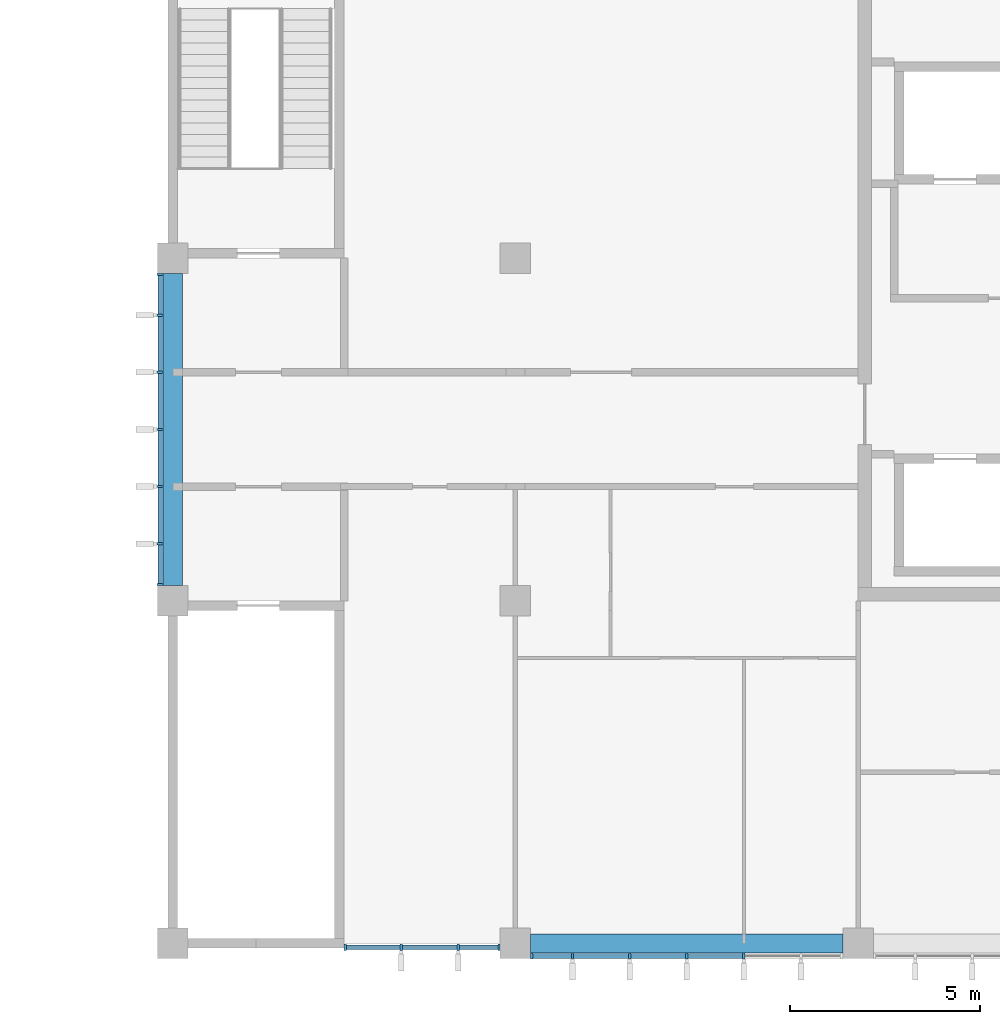
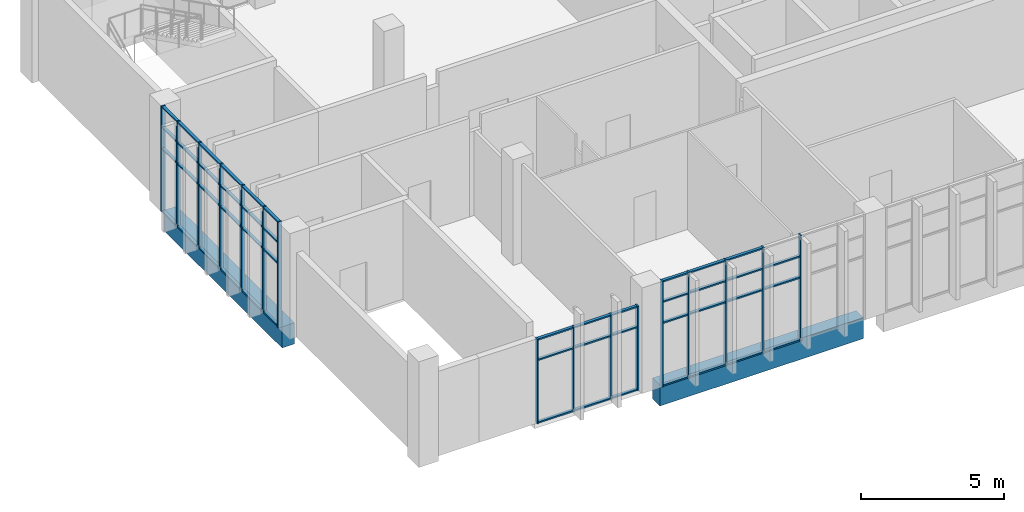
# One storey, part 2 of 19: 64 members, 2 beams, 3 elements without a shape of their own.
"""IFC4 building model written with IfcOpenShell, lengths in metres."""

from ifc_helpers import new_model, si_unit, direction, frame, origin, origin_2d, place, context, subcontext, project, spatial, rectangle, extrude, material, layer, layer_set, material_profile, profile_set, type_object, element, aggregate, save


model = new_model("IFC4")

# Units and contexts
model_context = context("Model", 3, precision=1e-05, world=origin(), true_north=direction((0.0, 1.0)))
body_context = subcontext(model_context, "Body", "Model", "MODEL_VIEW")
ifc_project = project(units=[si_unit("LENGTHUNIT", "METRE"), si_unit("AREAUNIT", "SQUARE_METRE"), si_unit("VOLUMEUNIT", "CUBIC_METRE"), si_unit("PLANEANGLEUNIT", "RADIAN"), si_unit("MASSUNIT", "GRAM", prefix="KILO")], contexts=[model_context])

# Site, building, storey
site_placement = place(None, origin())
site = spatial("IfcSite", under=ifc_project, at=site_placement, CompositionType="ELEMENT")
building_placement = place(site_placement, origin())
building = spatial("IfcBuilding", under=site, at=building_placement, Name="Guidao Yard Department Store", CompositionType="ELEMENT")
storey_placement = place(building_placement, frame((0.0, 0.0, 33.0)))
storey = spatial("IfcBuildingStorey", under=building, at=storey_placement, Name="L07", CompositionType="ELEMENT", Elevation=33.0)

# Curtain wall, members
ifc_material_1 = material(Name="Aluminium and glass", Category="aluminium")
ifc_layer = layer(ifc_material_1, 0.159912109375)
ifc_layer_set = layer_set([ifc_layer], Name="Unitised curtain wall CW4 1500 module")
curtain_wall_type = type_object("IfcCurtainWallType", Name="Unitised curtain wall CW4 1500 module", PredefinedType="NOTDEFINED", material=ifc_layer_set)
curtain_wall_1_placement = place(storey_placement, origin())
curtain_wall_1 = element("IfcCurtainWall", 1, at=curtain_wall_1_placement, inside=storey, type_object=curtain_wall_type, Name="Unitised curtain wall", PredefinedType="NOTDEFINED")
ifc_material_2 = material(Name="Aluminium 6063-T5", Category="aluminium")
ifc_material_profile_1 = material_profile(ifc_material_2, rectangle(XDim=0.06005859375, YDim=0.159912109375, at=origin_2d()), Name="Mullion M1 60 x 160 aluminium pressure plate")
ifc_profile_set_1 = profile_set([ifc_material_profile_1], Name="Aluminium 6063-T5")
member_type_1 = type_object("IfcMemberType", Name="Mullion M1 60 x 160 aluminium pressure plate", PredefinedType="MULLION", material=ifc_profile_set_1)
member_1_placement = place(storey_placement, frame((130.530029296875, -0.10009765625, 0.0), z_axis=(0.0, 0.0, 1.0), x_axis=(-1.0, 0.0, 0.0)))
member_1 = element("IfcMember", 2, at=member_1_placement, type_object=member_type_1, Name="CW-OW-L07-01 mullion 1", PredefinedType="MULLION", context=body_context, shape_type="SweptSolid", body=[
    extrude(rectangle(XDim=0.06005859375, YDim=0.159912109375, at=origin_2d()), origin(), (0.0, 0.0, 1.0), 3.60009765625),
])
member_2_placement = place(storey_placement, frame((132.0, -0.10009765625, 0.0), z_axis=(0.0, 0.0, 1.0), x_axis=(-1.0, 0.0, 0.0)))
member_2 = element("IfcMember", 3, at=member_2_placement, type_object=member_type_1, Name="CW-OW-L07-01 mullion 2", PredefinedType="MULLION", context=body_context, shape_type="SweptSolid", body=[
    extrude(rectangle(XDim=0.06005859375, YDim=0.159912109375, at=origin_2d()), origin(), (0.0, 0.0, 1.0), 3.60009765625),
])
member_3_placement = place(storey_placement, frame((133.5, -0.10009765625, 0.0), z_axis=(0.0, 0.0, 1.0), x_axis=(-1.0, 0.0, 0.0)))
member_3 = element("IfcMember", 4, at=member_3_placement, type_object=member_type_1, Name="CW-OW-L07-01 mullion 3", PredefinedType="MULLION", context=body_context, shape_type="SweptSolid", body=[
    extrude(rectangle(XDim=0.06005859375, YDim=0.159912109375, at=origin_2d()), origin(), (0.0, 0.0, 1.0), 3.60009765625),
])
member_4_placement = place(storey_placement, frame((134.570068359375, -0.10009765625, 0.0), z_axis=(0.0, 0.0, 1.0), x_axis=(-1.0, 0.0, 0.0)))
member_4 = element("IfcMember", 5, at=member_4_placement, type_object=member_type_1, Name="CW-OW-L07-01 mullion 4", PredefinedType="MULLION", context=body_context, shape_type="SweptSolid", body=[
    extrude(rectangle(XDim=0.06005859375, YDim=0.159912109375, at=origin_2d()), origin(), (0.0, 0.0, 1.0), 3.60009765625),
])

curtain_wall_2_placement = place(storey_placement, origin())
curtain_wall_2 = element("IfcCurtainWall", 6, at=curtain_wall_2_placement, inside=storey, type_object=curtain_wall_type, Name="Unitised curtain wall", PredefinedType="NOTDEFINED")
member_5_placement = place(storey_placement, frame((135.429931640625, -0.330078125, 0.0), z_axis=(0.0, 0.0, 1.0), x_axis=(-1.0, 0.0, 0.0)))
member_5 = element("IfcMember", 7, at=member_5_placement, type_object=member_type_1, Name="CW-OW-L07-02 mullion 1", PredefinedType="MULLION", context=body_context, shape_type="SweptSolid", body=[
    extrude(rectangle(XDim=0.06005859375, YDim=0.159912109375, at=origin_2d()), origin(), (0.0, 0.0, 1.0), 4.5),
])
member_6_placement = place(storey_placement, frame((136.5, -0.330078125, 0.0), z_axis=(0.0, 0.0, 1.0), x_axis=(-1.0, 0.0, 0.0)))
member_6 = element("IfcMember", 8, at=member_6_placement, type_object=member_type_1, Name="CW-OW-L07-02 mullion 2", PredefinedType="MULLION", context=body_context, shape_type="SweptSolid", body=[
    extrude(rectangle(XDim=0.06005859375, YDim=0.159912109375, at=origin_2d()), origin(), (0.0, 0.0, 1.0), 4.5),
])
member_7_placement = place(storey_placement, frame((138.0, -0.330078125, 0.0), z_axis=(0.0, 0.0, 1.0), x_axis=(-1.0, 0.0, 0.0)))
member_7 = element("IfcMember", 9, at=member_7_placement, type_object=member_type_1, Name="CW-OW-L07-02 mullion 3", PredefinedType="MULLION", context=body_context, shape_type="SweptSolid", body=[
    extrude(rectangle(XDim=0.06005859375, YDim=0.159912109375, at=origin_2d()), origin(), (0.0, 0.0, 1.0), 4.5),
])
member_8_placement = place(storey_placement, frame((139.5, -0.330078125, 0.0), z_axis=(0.0, 0.0, 1.0), x_axis=(-1.0, 0.0, 0.0)))
member_8 = element("IfcMember", 10, at=member_8_placement, type_object=member_type_1, Name="CW-OW-L07-02 mullion 4", PredefinedType="MULLION", context=body_context, shape_type="SweptSolid", body=[
    extrude(rectangle(XDim=0.06005859375, YDim=0.159912109375, at=origin_2d()), origin(), (0.0, 0.0, 1.0), 4.5),
])
member_9_placement = place(storey_placement, frame((141.0, -0.330078125, 0.0), z_axis=(0.0, 0.0, 1.0), x_axis=(-1.0, 0.0, 0.0)))
member_9 = element("IfcMember", 11, at=member_9_placement, type_object=member_type_1, Name="CW-OW-L07-02 mullion 5", PredefinedType="MULLION", context=body_context, shape_type="SweptSolid", body=[
    extrude(rectangle(XDim=0.06005859375, YDim=0.159912109375, at=origin_2d()), origin(), (0.0, 0.0, 1.0), 4.5),
])

curtain_wall_3_placement = place(storey_placement, origin())
curtain_wall_3 = element("IfcCurtainWall", 12, at=curtain_wall_3_placement, inside=storey, type_object=curtain_wall_type, Name="Unitised curtain wall", PredefinedType="NOTDEFINED")
member_10_placement = place(storey_placement, frame((125.669921875, 9.429931640625, 0.0), z_axis=(0.0, 0.0, 1.0), x_axis=(0.0, 1.0, 0.0)))
member_10 = element("IfcMember", 13, at=member_10_placement, type_object=member_type_1, Name="CW-OW-L07-05 mullion 1", PredefinedType="MULLION", context=body_context, shape_type="SweptSolid", body=[
    extrude(rectangle(XDim=0.06005859375, YDim=0.159912109375, at=origin_2d()), origin(), (0.0, 0.0, 1.0), 4.5),
])
member_11_placement = place(storey_placement, frame((125.669921875, 10.5, 0.0), z_axis=(0.0, 0.0, 1.0), x_axis=(0.0, 1.0, 0.0)))
member_11 = element("IfcMember", 14, at=member_11_placement, type_object=member_type_1, Name="CW-OW-L07-05 mullion 2", PredefinedType="MULLION", context=body_context, shape_type="SweptSolid", body=[
    extrude(rectangle(XDim=0.06005859375, YDim=0.159912109375, at=origin_2d()), origin(), (0.0, 0.0, 1.0), 4.5),
])
member_12_placement = place(storey_placement, frame((125.669921875, 12.0, 0.0), z_axis=(0.0, 0.0, 1.0), x_axis=(0.0, 1.0, 0.0)))
member_12 = element("IfcMember", 15, at=member_12_placement, type_object=member_type_1, Name="CW-OW-L07-05 mullion 3", PredefinedType="MULLION", context=body_context, shape_type="SweptSolid", body=[
    extrude(rectangle(XDim=0.06005859375, YDim=0.159912109375, at=origin_2d()), origin(), (0.0, 0.0, 1.0), 4.5),
])
member_13_placement = place(storey_placement, frame((125.669921875, 13.5, 0.0), z_axis=(0.0, 0.0, 1.0), x_axis=(0.0, 1.0, 0.0)))
member_13 = element("IfcMember", 16, at=member_13_placement, type_object=member_type_1, Name="CW-OW-L07-05 mullion 4", PredefinedType="MULLION", context=body_context, shape_type="SweptSolid", body=[
    extrude(rectangle(XDim=0.06005859375, YDim=0.159912109375, at=origin_2d()), origin(), (0.0, 0.0, 1.0), 4.5),
])
member_14_placement = place(storey_placement, frame((125.669921875, 15.0, 0.0), z_axis=(0.0, 0.0, 1.0), x_axis=(0.0, 1.0, 0.0)))
member_14 = element("IfcMember", 17, at=member_14_placement, type_object=member_type_1, Name="CW-OW-L07-05 mullion 5", PredefinedType="MULLION", context=body_context, shape_type="SweptSolid", body=[
    extrude(rectangle(XDim=0.06005859375, YDim=0.159912109375, at=origin_2d()), origin(), (0.0, 0.0, 1.0), 4.5),
])
member_15_placement = place(storey_placement, frame((125.669921875, 16.5, 0.0), z_axis=(0.0, 0.0, 1.0), x_axis=(0.0, 1.0, 0.0)))
member_15 = element("IfcMember", 18, at=member_15_placement, type_object=member_type_1, Name="CW-OW-L07-05 mullion 6", PredefinedType="MULLION", context=body_context, shape_type="SweptSolid", body=[
    extrude(rectangle(XDim=0.06005859375, YDim=0.159912109375, at=origin_2d()), origin(), (0.0, 0.0, 1.0), 4.5),
])
member_16_placement = place(storey_placement, frame((125.669921875, 17.570068359375, 0.0), z_axis=(0.0, 0.0, 1.0), x_axis=(0.0, 1.0, 0.0)))
member_16 = element("IfcMember", 19, at=member_16_placement, type_object=member_type_1, Name="CW-OW-L07-05 mullion 7", PredefinedType="MULLION", context=body_context, shape_type="SweptSolid", body=[
    extrude(rectangle(XDim=0.06005859375, YDim=0.159912109375, at=origin_2d()), origin(), (0.0, 0.0, 1.0), 4.5),
])

# Beams
ifc_material_3 = material(Name="Concrete C40", Category="concrete")
ifc_material_profile_2 = material_profile(ifc_material_3, rectangle(XDim=0.5, YDim=0.89990234375, at=origin_2d()), Name="Spandrel beam 500 x 900 C40")
ifc_profile_set_2 = profile_set([ifc_material_profile_2], Name="Concrete C40")
beam_type = type_object("IfcBeamType", Name="Spandrel beam 500 x 900 C40", PredefinedType="SPANDREL", material=ifc_profile_set_2)
for number, where, z_axis, x_axis, name in (
    (20, (135.39990234375, 0.0, -0.449951171875), (1.0, 0.0, 0.0), (0.0, 1.0, 0.0), "Beam FB01"),
    (21, (126.0, 9.39990234375, -0.449951171875), (0.0, 1.0, 0.0), (-1.0, 0.0, 0.0), "Beam FB04"),
):
    element("IfcBeam", number, at=place(storey_placement, frame(where, z_axis=z_axis, x_axis=x_axis)), inside=storey, type_object=beam_type, Name=name, PredefinedType="SPANDREL", context=body_context, shape_type="SweptSolid", body=[
        extrude(rectangle(XDim=0.5, YDim=0.89990234375, at=origin_2d()), origin(), (0.0, 0.0, 1.0), 8.2001953125),
    ])

# Member
ifc_material_4 = material(Name="Aluminium 6063-T5", Category="aluminium")
ifc_material_profile_3 = material_profile(ifc_material_4, rectangle(XDim=0.1201171875, YDim=0.06005859375, at=origin_2d()), Name="Transom T1 60 x 120 aluminium pressure plate")
ifc_profile_set_3 = profile_set([ifc_material_profile_3], Name="Aluminium 6063-T5")
member_type_2 = type_object("IfcMemberType", Name="Transom T1 60 x 120 aluminium pressure plate", PredefinedType="USERDEFINED", material=ifc_profile_set_3)
member_17_placement = place(storey_placement, frame((131.969970703125, -0.10009765625, 0.030029296875), z_axis=(-1.0, 0.0, 0.0), x_axis=(0.0, -1.0, 0.0)))
member_17 = element("IfcMember", 22, at=member_17_placement, type_object=member_type_2, Name="CW-OW-L07-01 transom 1.1", ObjectType="TRANSOM", PredefinedType="USERDEFINED", context=body_context, shape_type="SweptSolid", body=[
    extrude(rectangle(XDim=0.1201171875, YDim=0.06005859375, at=origin_2d()), origin(), (0.0, 0.0, 1.0), 1.409912109375),
])

member_18_placement = place(storey_placement, frame((131.969970703125, -0.10009765625, 2.699951171875), z_axis=(-1.0, 0.0, 0.0), x_axis=(0.0, -1.0, 0.0)))
member_18 = element("IfcMember", 23, at=member_18_placement, type_object=member_type_2, Name="CW-OW-L07-01 transom 1.2", ObjectType="TRANSOM", PredefinedType="USERDEFINED", context=body_context, shape_type="SweptSolid", body=[
    extrude(rectangle(XDim=0.1201171875, YDim=0.06005859375, at=origin_2d()), origin(), (0.0, 0.0, 1.0), 1.409912109375),
])

member_19_placement = place(storey_placement, frame((131.969970703125, -0.10009765625, 3.570068359375), z_axis=(-1.0, 0.0, 0.0), x_axis=(0.0, -1.0, 0.0)))
member_19 = element("IfcMember", 24, at=member_19_placement, type_object=member_type_2, Name="CW-OW-L07-01 transom 1.3", ObjectType="TRANSOM", PredefinedType="USERDEFINED", context=body_context, shape_type="SweptSolid", body=[
    extrude(rectangle(XDim=0.1201171875, YDim=0.06005859375, at=origin_2d()), origin(), (0.0, 0.0, 1.0), 1.409912109375),
])

member_20_placement = place(storey_placement, frame((133.469970703125, -0.10009765625, 0.030029296875), z_axis=(-1.0, 0.0, 0.0), x_axis=(0.0, -1.0, 0.0)))
member_20 = element("IfcMember", 25, at=member_20_placement, type_object=member_type_2, Name="CW-OW-L07-01 transom 2.1", ObjectType="TRANSOM", PredefinedType="USERDEFINED", context=body_context, shape_type="SweptSolid", body=[
    extrude(rectangle(XDim=0.1201171875, YDim=0.06005859375, at=origin_2d()), origin(), (0.0, 0.0, 1.0), 1.43994140625),
])

member_21_placement = place(storey_placement, frame((133.469970703125, -0.10009765625, 2.699951171875), z_axis=(-1.0, 0.0, 0.0), x_axis=(0.0, -1.0, 0.0)))
member_21 = element("IfcMember", 26, at=member_21_placement, type_object=member_type_2, Name="CW-OW-L07-01 transom 2.2", ObjectType="TRANSOM", PredefinedType="USERDEFINED", context=body_context, shape_type="SweptSolid", body=[
    extrude(rectangle(XDim=0.1201171875, YDim=0.06005859375, at=origin_2d()), origin(), (0.0, 0.0, 1.0), 1.43994140625),
])

member_22_placement = place(storey_placement, frame((133.469970703125, -0.10009765625, 3.570068359375), z_axis=(-1.0, 0.0, 0.0), x_axis=(0.0, -1.0, 0.0)))
member_22 = element("IfcMember", 27, at=member_22_placement, type_object=member_type_2, Name="CW-OW-L07-01 transom 2.3", ObjectType="TRANSOM", PredefinedType="USERDEFINED", context=body_context, shape_type="SweptSolid", body=[
    extrude(rectangle(XDim=0.1201171875, YDim=0.06005859375, at=origin_2d()), origin(), (0.0, 0.0, 1.0), 1.43994140625),
])

member_23_placement = place(storey_placement, frame((134.5400390625, -0.10009765625, 0.030029296875), z_axis=(-1.0, 0.0, 0.0), x_axis=(0.0, -1.0, 0.0)))
member_23 = element("IfcMember", 28, at=member_23_placement, type_object=member_type_2, Name="CW-OW-L07-01 transom 3.1", ObjectType="TRANSOM", PredefinedType="USERDEFINED", context=body_context, shape_type="SweptSolid", body=[
    extrude(rectangle(XDim=0.1201171875, YDim=0.06005859375, at=origin_2d()), origin(), (0.0, 0.0, 1.0), 1.010009765625),
])

member_24_placement = place(storey_placement, frame((134.5400390625, -0.10009765625, 2.699951171875), z_axis=(-1.0, 0.0, 0.0), x_axis=(0.0, -1.0, 0.0)))
member_24 = element("IfcMember", 29, at=member_24_placement, type_object=member_type_2, Name="CW-OW-L07-01 transom 3.2", ObjectType="TRANSOM", PredefinedType="USERDEFINED", context=body_context, shape_type="SweptSolid", body=[
    extrude(rectangle(XDim=0.1201171875, YDim=0.06005859375, at=origin_2d()), origin(), (0.0, 0.0, 1.0), 1.010009765625),
])

member_25_placement = place(storey_placement, frame((134.5400390625, -0.10009765625, 3.570068359375), z_axis=(-1.0, 0.0, 0.0), x_axis=(0.0, -1.0, 0.0)))
member_25 = element("IfcMember", 30, at=member_25_placement, type_object=member_type_2, Name="CW-OW-L07-01 transom 3.3", ObjectType="TRANSOM", PredefinedType="USERDEFINED", context=body_context, shape_type="SweptSolid", body=[
    extrude(rectangle(XDim=0.1201171875, YDim=0.06005859375, at=origin_2d()), origin(), (0.0, 0.0, 1.0), 1.010009765625),
])

aggregate(curtain_wall_1, [member_1, member_2, member_3, member_4, member_17, member_18, member_19, member_20, member_21, member_22, member_23, member_24, member_25])

member_26_placement = place(storey_placement, frame((136.469970703125, -0.330078125, 0.030029296875), z_axis=(-1.0, 0.0, 0.0), x_axis=(0.0, -1.0, 0.0)))
member_26 = element("IfcMember", 31, at=member_26_placement, type_object=member_type_2, Name="CW-OW-L07-02 transom 1.1", ObjectType="TRANSOM", PredefinedType="USERDEFINED", context=body_context, shape_type="SweptSolid", body=[
    extrude(rectangle(XDim=0.1201171875, YDim=0.06005859375, at=origin_2d()), origin(), (0.0, 0.0, 1.0), 1.010009765625),
])

member_27_placement = place(storey_placement, frame((136.469970703125, -0.330078125, 2.699951171875), z_axis=(-1.0, 0.0, 0.0), x_axis=(0.0, -1.0, 0.0)))
member_27 = element("IfcMember", 32, at=member_27_placement, type_object=member_type_2, Name="CW-OW-L07-02 transom 1.2", ObjectType="TRANSOM", PredefinedType="USERDEFINED", context=body_context, shape_type="SweptSolid", body=[
    extrude(rectangle(XDim=0.1201171875, YDim=0.06005859375, at=origin_2d()), origin(), (0.0, 0.0, 1.0), 1.010009765625),
])

member_28_placement = place(storey_placement, frame((136.469970703125, -0.330078125, 3.60009765625), z_axis=(-1.0, 0.0, 0.0), x_axis=(0.0, -1.0, 0.0)))
member_28 = element("IfcMember", 33, at=member_28_placement, type_object=member_type_2, Name="CW-OW-L07-02 transom 1.3", ObjectType="TRANSOM", PredefinedType="USERDEFINED", context=body_context, shape_type="SweptSolid", body=[
    extrude(rectangle(XDim=0.1201171875, YDim=0.06005859375, at=origin_2d()), origin(), (0.0, 0.0, 1.0), 1.010009765625),
])

member_29_placement = place(storey_placement, frame((136.469970703125, -0.330078125, 4.469970703125), z_axis=(-1.0, 0.0, 0.0), x_axis=(0.0, -1.0, 0.0)))
member_29 = element("IfcMember", 34, at=member_29_placement, type_object=member_type_2, Name="CW-OW-L07-02 transom 1.4", ObjectType="TRANSOM", PredefinedType="USERDEFINED", context=body_context, shape_type="SweptSolid", body=[
    extrude(rectangle(XDim=0.1201171875, YDim=0.06005859375, at=origin_2d()), origin(), (0.0, 0.0, 1.0), 1.010009765625),
])

member_30_placement = place(storey_placement, frame((137.969970703125, -0.330078125, 0.030029296875), z_axis=(-1.0, 0.0, 0.0), x_axis=(0.0, -1.0, 0.0)))
member_30 = element("IfcMember", 35, at=member_30_placement, type_object=member_type_2, Name="CW-OW-L07-02 transom 2.1", ObjectType="TRANSOM", PredefinedType="USERDEFINED", context=body_context, shape_type="SweptSolid", body=[
    extrude(rectangle(XDim=0.1201171875, YDim=0.06005859375, at=origin_2d()), origin(), (0.0, 0.0, 1.0), 1.43994140625),
])

member_31_placement = place(storey_placement, frame((137.969970703125, -0.330078125, 2.699951171875), z_axis=(-1.0, 0.0, 0.0), x_axis=(0.0, -1.0, 0.0)))
member_31 = element("IfcMember", 36, at=member_31_placement, type_object=member_type_2, Name="CW-OW-L07-02 transom 2.2", ObjectType="TRANSOM", PredefinedType="USERDEFINED", context=body_context, shape_type="SweptSolid", body=[
    extrude(rectangle(XDim=0.1201171875, YDim=0.06005859375, at=origin_2d()), origin(), (0.0, 0.0, 1.0), 1.43994140625),
])

member_32_placement = place(storey_placement, frame((137.969970703125, -0.330078125, 3.60009765625), z_axis=(-1.0, 0.0, 0.0), x_axis=(0.0, -1.0, 0.0)))
member_32 = element("IfcMember", 37, at=member_32_placement, type_object=member_type_2, Name="CW-OW-L07-02 transom 2.3", ObjectType="TRANSOM", PredefinedType="USERDEFINED", context=body_context, shape_type="SweptSolid", body=[
    extrude(rectangle(XDim=0.1201171875, YDim=0.06005859375, at=origin_2d()), origin(), (0.0, 0.0, 1.0), 1.43994140625),
])

member_33_placement = place(storey_placement, frame((137.969970703125, -0.330078125, 4.469970703125), z_axis=(-1.0, 0.0, 0.0), x_axis=(0.0, -1.0, 0.0)))
member_33 = element("IfcMember", 38, at=member_33_placement, type_object=member_type_2, Name="CW-OW-L07-02 transom 2.4", ObjectType="TRANSOM", PredefinedType="USERDEFINED", context=body_context, shape_type="SweptSolid", body=[
    extrude(rectangle(XDim=0.1201171875, YDim=0.06005859375, at=origin_2d()), origin(), (0.0, 0.0, 1.0), 1.43994140625),
])

member_34_placement = place(storey_placement, frame((139.469970703125, -0.330078125, 0.030029296875), z_axis=(-1.0, 0.0, 0.0), x_axis=(0.0, -1.0, 0.0)))
member_34 = element("IfcMember", 39, at=member_34_placement, type_object=member_type_2, Name="CW-OW-L07-02 transom 3.1", ObjectType="TRANSOM", PredefinedType="USERDEFINED", context=body_context, shape_type="SweptSolid", body=[
    extrude(rectangle(XDim=0.1201171875, YDim=0.06005859375, at=origin_2d()), origin(), (0.0, 0.0, 1.0), 1.43994140625),
])

member_35_placement = place(storey_placement, frame((139.469970703125, -0.330078125, 2.699951171875), z_axis=(-1.0, 0.0, 0.0), x_axis=(0.0, -1.0, 0.0)))
member_35 = element("IfcMember", 40, at=member_35_placement, type_object=member_type_2, Name="CW-OW-L07-02 transom 3.2", ObjectType="TRANSOM", PredefinedType="USERDEFINED", context=body_context, shape_type="SweptSolid", body=[
    extrude(rectangle(XDim=0.1201171875, YDim=0.06005859375, at=origin_2d()), origin(), (0.0, 0.0, 1.0), 1.43994140625),
])

member_36_placement = place(storey_placement, frame((139.469970703125, -0.330078125, 3.60009765625), z_axis=(-1.0, 0.0, 0.0), x_axis=(0.0, -1.0, 0.0)))
member_36 = element("IfcMember", 41, at=member_36_placement, type_object=member_type_2, Name="CW-OW-L07-02 transom 3.3", ObjectType="TRANSOM", PredefinedType="USERDEFINED", context=body_context, shape_type="SweptSolid", body=[
    extrude(rectangle(XDim=0.1201171875, YDim=0.06005859375, at=origin_2d()), origin(), (0.0, 0.0, 1.0), 1.43994140625),
])

member_37_placement = place(storey_placement, frame((139.469970703125, -0.330078125, 4.469970703125), z_axis=(-1.0, 0.0, 0.0), x_axis=(0.0, -1.0, 0.0)))
member_37 = element("IfcMember", 42, at=member_37_placement, type_object=member_type_2, Name="CW-OW-L07-02 transom 3.4", ObjectType="TRANSOM", PredefinedType="USERDEFINED", context=body_context, shape_type="SweptSolid", body=[
    extrude(rectangle(XDim=0.1201171875, YDim=0.06005859375, at=origin_2d()), origin(), (0.0, 0.0, 1.0), 1.43994140625),
])

member_38_placement = place(storey_placement, frame((140.969970703125, -0.330078125, 0.030029296875), z_axis=(-1.0, 0.0, 0.0), x_axis=(0.0, -1.0, 0.0)))
member_38 = element("IfcMember", 43, at=member_38_placement, type_object=member_type_2, Name="CW-OW-L07-02 transom 4.1", ObjectType="TRANSOM", PredefinedType="USERDEFINED", context=body_context, shape_type="SweptSolid", body=[
    extrude(rectangle(XDim=0.1201171875, YDim=0.06005859375, at=origin_2d()), origin(), (0.0, 0.0, 1.0), 1.43994140625),
])

member_39_placement = place(storey_placement, frame((140.969970703125, -0.330078125, 2.699951171875), z_axis=(-1.0, 0.0, 0.0), x_axis=(0.0, -1.0, 0.0)))
member_39 = element("IfcMember", 44, at=member_39_placement, type_object=member_type_2, Name="CW-OW-L07-02 transom 4.2", ObjectType="TRANSOM", PredefinedType="USERDEFINED", context=body_context, shape_type="SweptSolid", body=[
    extrude(rectangle(XDim=0.1201171875, YDim=0.06005859375, at=origin_2d()), origin(), (0.0, 0.0, 1.0), 1.43994140625),
])

member_40_placement = place(storey_placement, frame((140.969970703125, -0.330078125, 3.60009765625), z_axis=(-1.0, 0.0, 0.0), x_axis=(0.0, -1.0, 0.0)))
member_40 = element("IfcMember", 45, at=member_40_placement, type_object=member_type_2, Name="CW-OW-L07-02 transom 4.3", ObjectType="TRANSOM", PredefinedType="USERDEFINED", context=body_context, shape_type="SweptSolid", body=[
    extrude(rectangle(XDim=0.1201171875, YDim=0.06005859375, at=origin_2d()), origin(), (0.0, 0.0, 1.0), 1.43994140625),
])

aggregate(curtain_wall_2, [member_5, member_6, member_7, member_8, member_9, member_26, member_27, member_28, member_29, member_30, member_31, member_32, member_33, member_34, member_35, member_36, member_37, member_38, member_39, member_40])

member_41_placement = place(storey_placement, frame((125.669921875, 9.4599609375, 0.030029296875), z_axis=(0.0, 1.0, 0.0), x_axis=(-1.0, 0.0, 0.0)))
member_41 = element("IfcMember", 46, at=member_41_placement, type_object=member_type_2, Name="CW-OW-L07-05 transom 1.1", ObjectType="TRANSOM", PredefinedType="USERDEFINED", context=body_context, shape_type="SweptSolid", body=[
    extrude(rectangle(XDim=0.1201171875, YDim=0.06005859375, at=origin_2d()), origin(), (0.0, 0.0, 1.0), 1.010009765625),
])

member_42_placement = place(storey_placement, frame((125.669921875, 9.4599609375, 2.699951171875), z_axis=(0.0, 1.0, 0.0), x_axis=(-1.0, 0.0, 0.0)))
member_42 = element("IfcMember", 47, at=member_42_placement, type_object=member_type_2, Name="CW-OW-L07-05 transom 1.2", ObjectType="TRANSOM", PredefinedType="USERDEFINED", context=body_context, shape_type="SweptSolid", body=[
    extrude(rectangle(XDim=0.1201171875, YDim=0.06005859375, at=origin_2d()), origin(), (0.0, 0.0, 1.0), 1.010009765625),
])

member_43_placement = place(storey_placement, frame((125.669921875, 9.4599609375, 3.60009765625), z_axis=(0.0, 1.0, 0.0), x_axis=(-1.0, 0.0, 0.0)))
member_43 = element("IfcMember", 48, at=member_43_placement, type_object=member_type_2, Name="CW-OW-L07-05 transom 1.3", ObjectType="TRANSOM", PredefinedType="USERDEFINED", context=body_context, shape_type="SweptSolid", body=[
    extrude(rectangle(XDim=0.1201171875, YDim=0.06005859375, at=origin_2d()), origin(), (0.0, 0.0, 1.0), 1.010009765625),
])

member_44_placement = place(storey_placement, frame((125.669921875, 9.4599609375, 4.469970703125), z_axis=(0.0, 1.0, 0.0), x_axis=(-1.0, 0.0, 0.0)))
member_44 = element("IfcMember", 49, at=member_44_placement, type_object=member_type_2, Name="CW-OW-L07-05 transom 1.4", ObjectType="TRANSOM", PredefinedType="USERDEFINED", context=body_context, shape_type="SweptSolid", body=[
    extrude(rectangle(XDim=0.1201171875, YDim=0.06005859375, at=origin_2d()), origin(), (0.0, 0.0, 1.0), 1.010009765625),
])

member_45_placement = place(storey_placement, frame((125.669921875, 10.530029296875, 0.030029296875), z_axis=(0.0, 1.0, 0.0), x_axis=(-1.0, 0.0, 0.0)))
member_45 = element("IfcMember", 50, at=member_45_placement, type_object=member_type_2, Name="CW-OW-L07-05 transom 2.1", ObjectType="TRANSOM", PredefinedType="USERDEFINED", context=body_context, shape_type="SweptSolid", body=[
    extrude(rectangle(XDim=0.1201171875, YDim=0.06005859375, at=origin_2d()), origin(), (0.0, 0.0, 1.0), 1.43994140625),
])

member_46_placement = place(storey_placement, frame((125.669921875, 10.530029296875, 2.699951171875), z_axis=(0.0, 1.0, 0.0), x_axis=(-1.0, 0.0, 0.0)))
member_46 = element("IfcMember", 51, at=member_46_placement, type_object=member_type_2, Name="CW-OW-L07-05 transom 2.2", ObjectType="TRANSOM", PredefinedType="USERDEFINED", context=body_context, shape_type="SweptSolid", body=[
    extrude(rectangle(XDim=0.1201171875, YDim=0.06005859375, at=origin_2d()), origin(), (0.0, 0.0, 1.0), 1.43994140625),
])

member_47_placement = place(storey_placement, frame((125.669921875, 10.530029296875, 3.60009765625), z_axis=(0.0, 1.0, 0.0), x_axis=(-1.0, 0.0, 0.0)))
member_47 = element("IfcMember", 52, at=member_47_placement, type_object=member_type_2, Name="CW-OW-L07-05 transom 2.3", ObjectType="TRANSOM", PredefinedType="USERDEFINED", context=body_context, shape_type="SweptSolid", body=[
    extrude(rectangle(XDim=0.1201171875, YDim=0.06005859375, at=origin_2d()), origin(), (0.0, 0.0, 1.0), 1.43994140625),
])

member_48_placement = place(storey_placement, frame((125.669921875, 10.530029296875, 4.469970703125), z_axis=(0.0, 1.0, 0.0), x_axis=(-1.0, 0.0, 0.0)))
member_48 = element("IfcMember", 53, at=member_48_placement, type_object=member_type_2, Name="CW-OW-L07-05 transom 2.4", ObjectType="TRANSOM", PredefinedType="USERDEFINED", context=body_context, shape_type="SweptSolid", body=[
    extrude(rectangle(XDim=0.1201171875, YDim=0.06005859375, at=origin_2d()), origin(), (0.0, 0.0, 1.0), 1.43994140625),
])

member_49_placement = place(storey_placement, frame((125.669921875, 12.030029296875, 0.030029296875), z_axis=(0.0, 1.0, 0.0), x_axis=(-1.0, 0.0, 0.0)))
member_49 = element("IfcMember", 54, at=member_49_placement, type_object=member_type_2, Name="CW-OW-L07-05 transom 3.1", ObjectType="TRANSOM", PredefinedType="USERDEFINED", context=body_context, shape_type="SweptSolid", body=[
    extrude(rectangle(XDim=0.1201171875, YDim=0.06005859375, at=origin_2d()), origin(), (0.0, 0.0, 1.0), 1.43994140625),
])

member_50_placement = place(storey_placement, frame((125.669921875, 12.030029296875, 2.699951171875), z_axis=(0.0, 1.0, 0.0), x_axis=(-1.0, 0.0, 0.0)))
member_50 = element("IfcMember", 55, at=member_50_placement, type_object=member_type_2, Name="CW-OW-L07-05 transom 3.2", ObjectType="TRANSOM", PredefinedType="USERDEFINED", context=body_context, shape_type="SweptSolid", body=[
    extrude(rectangle(XDim=0.1201171875, YDim=0.06005859375, at=origin_2d()), origin(), (0.0, 0.0, 1.0), 1.43994140625),
])

member_51_placement = place(storey_placement, frame((125.669921875, 12.030029296875, 3.60009765625), z_axis=(0.0, 1.0, 0.0), x_axis=(-1.0, 0.0, 0.0)))
member_51 = element("IfcMember", 56, at=member_51_placement, type_object=member_type_2, Name="CW-OW-L07-05 transom 3.3", ObjectType="TRANSOM", PredefinedType="USERDEFINED", context=body_context, shape_type="SweptSolid", body=[
    extrude(rectangle(XDim=0.1201171875, YDim=0.06005859375, at=origin_2d()), origin(), (0.0, 0.0, 1.0), 1.43994140625),
])

member_52_placement = place(storey_placement, frame((125.669921875, 12.030029296875, 4.469970703125), z_axis=(0.0, 1.0, 0.0), x_axis=(-1.0, 0.0, 0.0)))
member_52 = element("IfcMember", 57, at=member_52_placement, type_object=member_type_2, Name="CW-OW-L07-05 transom 3.4", ObjectType="TRANSOM", PredefinedType="USERDEFINED", context=body_context, shape_type="SweptSolid", body=[
    extrude(rectangle(XDim=0.1201171875, YDim=0.06005859375, at=origin_2d()), origin(), (0.0, 0.0, 1.0), 1.43994140625),
])

member_53_placement = place(storey_placement, frame((125.669921875, 13.530029296875, 0.030029296875), z_axis=(0.0, 1.0, 0.0), x_axis=(-1.0, 0.0, 0.0)))
member_53 = element("IfcMember", 58, at=member_53_placement, type_object=member_type_2, Name="CW-OW-L07-05 transom 4.1", ObjectType="TRANSOM", PredefinedType="USERDEFINED", context=body_context, shape_type="SweptSolid", body=[
    extrude(rectangle(XDim=0.1201171875, YDim=0.06005859375, at=origin_2d()), origin(), (0.0, 0.0, 1.0), 1.43994140625),
])

member_54_placement = place(storey_placement, frame((125.669921875, 13.530029296875, 2.699951171875), z_axis=(0.0, 1.0, 0.0), x_axis=(-1.0, 0.0, 0.0)))
member_54 = element("IfcMember", 59, at=member_54_placement, type_object=member_type_2, Name="CW-OW-L07-05 transom 4.2", ObjectType="TRANSOM", PredefinedType="USERDEFINED", context=body_context, shape_type="SweptSolid", body=[
    extrude(rectangle(XDim=0.1201171875, YDim=0.06005859375, at=origin_2d()), origin(), (0.0, 0.0, 1.0), 1.43994140625),
])

member_55_placement = place(storey_placement, frame((125.669921875, 13.530029296875, 3.60009765625), z_axis=(0.0, 1.0, 0.0), x_axis=(-1.0, 0.0, 0.0)))
member_55 = element("IfcMember", 60, at=member_55_placement, type_object=member_type_2, Name="CW-OW-L07-05 transom 4.3", ObjectType="TRANSOM", PredefinedType="USERDEFINED", context=body_context, shape_type="SweptSolid", body=[
    extrude(rectangle(XDim=0.1201171875, YDim=0.06005859375, at=origin_2d()), origin(), (0.0, 0.0, 1.0), 1.43994140625),
])

member_56_placement = place(storey_placement, frame((125.669921875, 13.530029296875, 4.469970703125), z_axis=(0.0, 1.0, 0.0), x_axis=(-1.0, 0.0, 0.0)))
member_56 = element("IfcMember", 61, at=member_56_placement, type_object=member_type_2, Name="CW-OW-L07-05 transom 4.4", ObjectType="TRANSOM", PredefinedType="USERDEFINED", context=body_context, shape_type="SweptSolid", body=[
    extrude(rectangle(XDim=0.1201171875, YDim=0.06005859375, at=origin_2d()), origin(), (0.0, 0.0, 1.0), 1.43994140625),
])

member_57_placement = place(storey_placement, frame((125.669921875, 15.030029296875, 0.030029296875), z_axis=(0.0, 1.0, 0.0), x_axis=(-1.0, 0.0, 0.0)))
member_57 = element("IfcMember", 62, at=member_57_placement, type_object=member_type_2, Name="CW-OW-L07-05 transom 5.1", ObjectType="TRANSOM", PredefinedType="USERDEFINED", context=body_context, shape_type="SweptSolid", body=[
    extrude(rectangle(XDim=0.1201171875, YDim=0.06005859375, at=origin_2d()), origin(), (0.0, 0.0, 1.0), 1.43994140625),
])

member_58_placement = place(storey_placement, frame((125.669921875, 15.030029296875, 2.699951171875), z_axis=(0.0, 1.0, 0.0), x_axis=(-1.0, 0.0, 0.0)))
member_58 = element("IfcMember", 63, at=member_58_placement, type_object=member_type_2, Name="CW-OW-L07-05 transom 5.2", ObjectType="TRANSOM", PredefinedType="USERDEFINED", context=body_context, shape_type="SweptSolid", body=[
    extrude(rectangle(XDim=0.1201171875, YDim=0.06005859375, at=origin_2d()), origin(), (0.0, 0.0, 1.0), 1.43994140625),
])

member_59_placement = place(storey_placement, frame((125.669921875, 15.030029296875, 3.60009765625), z_axis=(0.0, 1.0, 0.0), x_axis=(-1.0, 0.0, 0.0)))
member_59 = element("IfcMember", 64, at=member_59_placement, type_object=member_type_2, Name="CW-OW-L07-05 transom 5.3", ObjectType="TRANSOM", PredefinedType="USERDEFINED", context=body_context, shape_type="SweptSolid", body=[
    extrude(rectangle(XDim=0.1201171875, YDim=0.06005859375, at=origin_2d()), origin(), (0.0, 0.0, 1.0), 1.43994140625),
])

member_60_placement = place(storey_placement, frame((125.669921875, 15.030029296875, 4.469970703125), z_axis=(0.0, 1.0, 0.0), x_axis=(-1.0, 0.0, 0.0)))
member_60 = element("IfcMember", 65, at=member_60_placement, type_object=member_type_2, Name="CW-OW-L07-05 transom 5.4", ObjectType="TRANSOM", PredefinedType="USERDEFINED", context=body_context, shape_type="SweptSolid", body=[
    extrude(rectangle(XDim=0.1201171875, YDim=0.06005859375, at=origin_2d()), origin(), (0.0, 0.0, 1.0), 1.43994140625),
])

member_61_placement = place(storey_placement, frame((125.669921875, 16.530029296875, 0.030029296875), z_axis=(0.0, 1.0, 0.0), x_axis=(-1.0, 0.0, 0.0)))
member_61 = element("IfcMember", 66, at=member_61_placement, type_object=member_type_2, Name="CW-OW-L07-05 transom 6.1", ObjectType="TRANSOM", PredefinedType="USERDEFINED", context=body_context, shape_type="SweptSolid", body=[
    extrude(rectangle(XDim=0.1201171875, YDim=0.06005859375, at=origin_2d()), origin(), (0.0, 0.0, 1.0), 1.010009765625),
])

member_62_placement = place(storey_placement, frame((125.669921875, 16.530029296875, 2.699951171875), z_axis=(0.0, 1.0, 0.0), x_axis=(-1.0, 0.0, 0.0)))
member_62 = element("IfcMember", 67, at=member_62_placement, type_object=member_type_2, Name="CW-OW-L07-05 transom 6.2", ObjectType="TRANSOM", PredefinedType="USERDEFINED", context=body_context, shape_type="SweptSolid", body=[
    extrude(rectangle(XDim=0.1201171875, YDim=0.06005859375, at=origin_2d()), origin(), (0.0, 0.0, 1.0), 1.010009765625),
])

member_63_placement = place(storey_placement, frame((125.669921875, 16.530029296875, 3.60009765625), z_axis=(0.0, 1.0, 0.0), x_axis=(-1.0, 0.0, 0.0)))
member_63 = element("IfcMember", 68, at=member_63_placement, type_object=member_type_2, Name="CW-OW-L07-05 transom 6.3", ObjectType="TRANSOM", PredefinedType="USERDEFINED", context=body_context, shape_type="SweptSolid", body=[
    extrude(rectangle(XDim=0.1201171875, YDim=0.06005859375, at=origin_2d()), origin(), (0.0, 0.0, 1.0), 1.010009765625),
])

member_64_placement = place(storey_placement, frame((125.669921875, 16.530029296875, 4.469970703125), z_axis=(0.0, 1.0, 0.0), x_axis=(-1.0, 0.0, 0.0)))
member_64 = element("IfcMember", 69, at=member_64_placement, type_object=member_type_2, Name="CW-OW-L07-05 transom 6.4", ObjectType="TRANSOM", PredefinedType="USERDEFINED", context=body_context, shape_type="SweptSolid", body=[
    extrude(rectangle(XDim=0.1201171875, YDim=0.06005859375, at=origin_2d()), origin(), (0.0, 0.0, 1.0), 1.010009765625),
])

aggregate(curtain_wall_3, [member_10, member_11, member_12, member_13, member_14, member_15, member_16, member_41, member_42, member_43, member_44, member_45, member_46, member_47, member_48, member_49, member_50, member_51, member_52, member_53, member_54, member_55, member_56, member_57, member_58, member_59, member_60, member_61, member_62, member_63, member_64])

save(model, "model.ifc")
